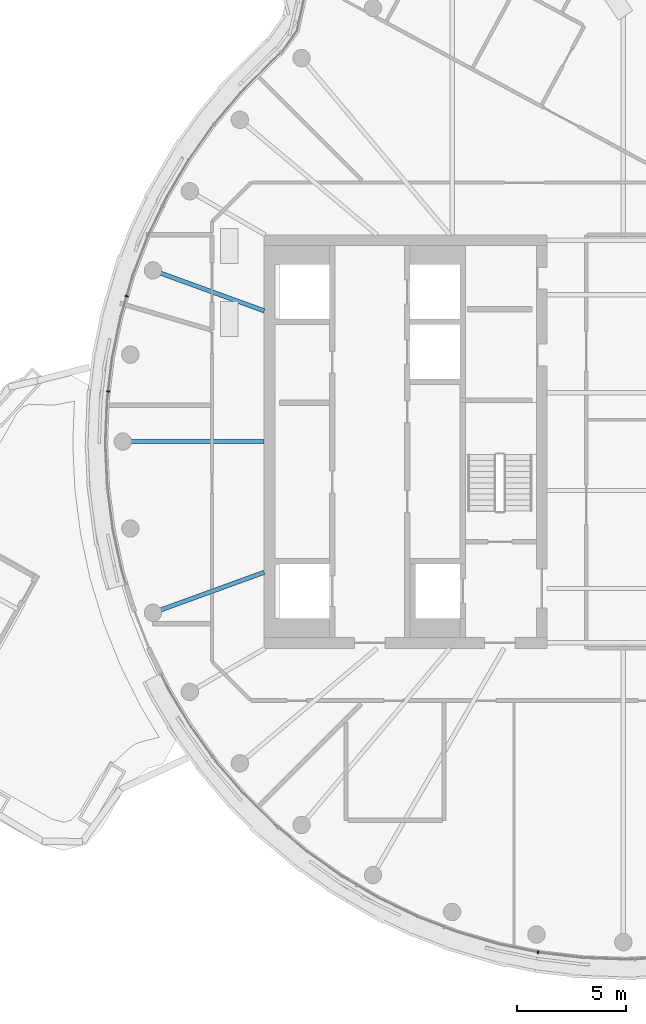
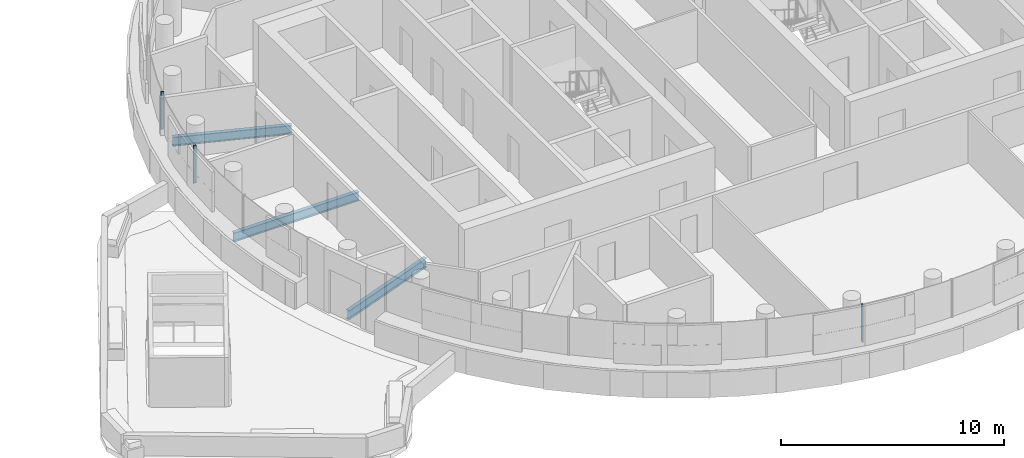
# One storey, part 3 of 22: 3 beams, 3 members, 1 element without a shape of its own.
"""IFC4 building model written with IfcOpenShell, lengths in metres."""

from ifc_helpers import new_model, si_unit, direction, frame, origin, origin_2d, place, context, subcontext, project, spatial, rectangle, i_section, extrude, material, layer, layer_set, material_profile, profile_set, type_object, element, aggregate, save


model = new_model("IFC4")

# Units and contexts
model_context = context("Model", 3, precision=1e-05, world=origin(), true_north=direction((0.0, 1.0)))
body_context = subcontext(model_context, "Body", "Model", "MODEL_VIEW")
ifc_project = project(units=[si_unit("LENGTHUNIT", "METRE"), si_unit("AREAUNIT", "SQUARE_METRE"), si_unit("VOLUMEUNIT", "CUBIC_METRE"), si_unit("PLANEANGLEUNIT", "RADIAN"), si_unit("MASSUNIT", "GRAM", prefix="KILO")], contexts=[model_context])

# Site, building, storey
site_placement = place(None, origin())
site = spatial("IfcSite", under=ifc_project, at=site_placement, CompositionType="ELEMENT")
building_placement = place(site_placement, origin())
building = spatial("IfcBuilding", under=site, at=building_placement, Name="Tamarind Cross Interchange Tower", CompositionType="ELEMENT")
storey_placement = place(building_placement, frame((0.0, 0.0, 256.800048828125)))
storey = spatial("IfcBuildingStorey", under=building, at=storey_placement, Name="L65", CompositionType="ELEMENT", Elevation=256.800048828125)

# Beams
ifc_material_1 = material(Name="Steel Q355B", Category="steel")
ifc_material_profile_1 = material_profile(ifc_material_1, i_section(OverallWidth=0.198974609375, OverallDepth=0.49609375, WebThickness=0.009033203125, FlangeThickness=0.013916015625, FilletRadius=0.012939453125, at=origin_2d()), Name="HN 496x199x9x14")
ifc_profile_set_1 = profile_set([ifc_material_profile_1], Name="Steel Q355B")
beam_type = type_object("IfcBeamType", Name="Composite beam HN 496x199x9x14 Q355B", PredefinedType="BEAM", material=ifc_profile_set_1)
beam_1_placement = place(storey_placement, frame((-21.613037109375, 7.866455078125, -0.387939453125), z_axis=(0.939701685589, -0.341995236956, 0.0), x_axis=(0.341995236956, 0.939701685589, 0.0)))
element("IfcBeam", 1, at=beam_1_placement, inside=storey, type_object=beam_type, Name="Beam HH16", PredefinedType="BEAM", context=body_context, shape_type="SweptSolid", body=[
    extrude(i_section(OverallWidth=0.198974609375, OverallDepth=0.49609375, WebThickness=0.009033203125, FlangeThickness=0.013916015625, FilletRadius=0.012939453125, at=origin_2d()), origin(), (0.0, 0.0, 1.0), 5.441162109375),
])
beam_2_placement = place(storey_placement, frame((-23.0, 0.0, -0.387939453125), z_axis=(1.0, 0.0, 0.0), x_axis=(0.0, 1.0, 0.0)))
element("IfcBeam", 2, at=beam_2_placement, inside=storey, type_object=beam_type, Name="Beam HH18", PredefinedType="BEAM", context=body_context, shape_type="SweptSolid", body=[
    extrude(i_section(OverallWidth=0.198974609375, OverallDepth=0.49609375, WebThickness=0.009033203125, FlangeThickness=0.013916015625, FilletRadius=0.012939453125, at=origin_2d()), origin(), (0.0, 0.0, 1.0), 6.5),
])
beam_3_placement = place(storey_placement, frame((-21.613037109375, -7.866455078125, -0.387939453125), z_axis=(0.939701685589, 0.341995236956, 0.0), x_axis=(-0.341995236956, 0.939701685589, 0.0)))
element("IfcBeam", 3, at=beam_3_placement, inside=storey, type_object=beam_type, Name="Beam HH20", PredefinedType="BEAM", context=body_context, shape_type="SweptSolid", body=[
    extrude(i_section(OverallWidth=0.198974609375, OverallDepth=0.49609375, WebThickness=0.009033203125, FlangeThickness=0.013916015625, FilletRadius=0.012939453125, at=origin_2d()), origin(), (0.0, 0.0, 1.0), 5.441162109375),
])

# Curtain wall, members
ifc_material_2 = material(Name="Aluminium 6063-T6", Category="aluminium")
ifc_layer = layer(ifc_material_2, 0.14990234375)
ifc_layer_set = layer_set([ifc_layer], Name="Aluminium 6063-T6")
curtain_wall_type = type_object("IfcCurtainWallType", Name="Winter garden and crown curtain wall", PredefinedType="NOTDEFINED", material=ifc_layer_set)
curtain_wall_placement = place(storey_placement, origin())
curtain_wall = element("IfcCurtainWall", 4, at=curtain_wall_placement, inside=storey, type_object=curtain_wall_type, Name="CWS-L65-01", PredefinedType="NOTDEFINED")
ifc_material_profile_2 = material_profile(ifc_material_2, rectangle(XDim=0.06005859375, YDim=0.14990234375, at=origin_2d()), Name="Mullion CW6")
ifc_profile_set_2 = profile_set([ifc_material_profile_2], Name="Aluminium 6063-T6")
member_type = type_object("IfcMemberType", Name="Mullion CW6", PredefinedType="MULLION", material=ifc_profile_set_2)
member_1_placement = place(storey_placement, frame((-22.817626953125, 6.680908203125, 1.39990234375), z_axis=(0.0, 0.0, 1.0), x_axis=(-0.281208920763, -0.95964657186, 0.0)))
member_1 = element("IfcMember", 5, at=member_1_placement, type_object=member_type, Name="CWM-L65-01-04", PredefinedType="MULLION", context=body_context, shape_type="SweptSolid", body=[
    extrude(rectangle(XDim=0.06005859375, YDim=0.14990234375, at=origin_2d()), origin(), (0.0, 0.0, 1.0), 2.06005859375),
])
member_2_placement = place(storey_placement, frame((-23.669677734375, 2.30419921875, 1.39990234375), z_axis=(0.0, 0.0, 1.0), x_axis=(-0.119420963295, -0.992843710523, 0.0)))
member_2 = element("IfcMember", 6, at=member_2_placement, type_object=member_type, Name="CWM-L65-01-05", PredefinedType="MULLION", context=body_context, shape_type="SweptSolid", body=[
    extrude(rectangle(XDim=0.06005859375, YDim=0.14990234375, at=origin_2d()), origin(), (0.0, 0.0, 1.0), 2.06005859375),
])
member_3_placement = place(storey_placement, frame((-3.9228515625, -23.4658203125, 1.39990234375), z_axis=(0.0, 0.0, 1.0), x_axis=(0.9795909409, -0.201001463943, 0.0)))
member_3 = element("IfcMember", 7, at=member_3_placement, type_object=member_type, Name="CWM-L65-01-13", PredefinedType="MULLION", context=body_context, shape_type="SweptSolid", body=[
    extrude(rectangle(XDim=0.06005859375, YDim=0.14990234375, at=origin_2d()), origin(), (0.0, 0.0, 1.0), 2.06005859375),
])
aggregate(curtain_wall, [member_1, member_2, member_3])

save(model, "model.ifc")
